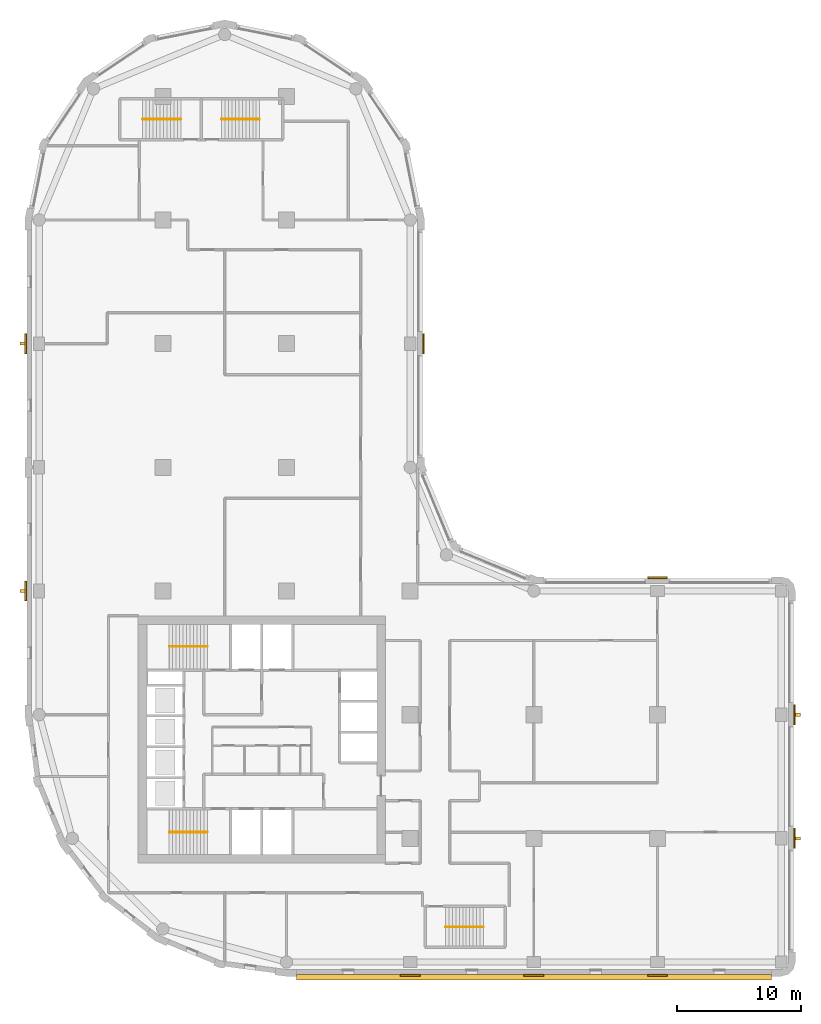
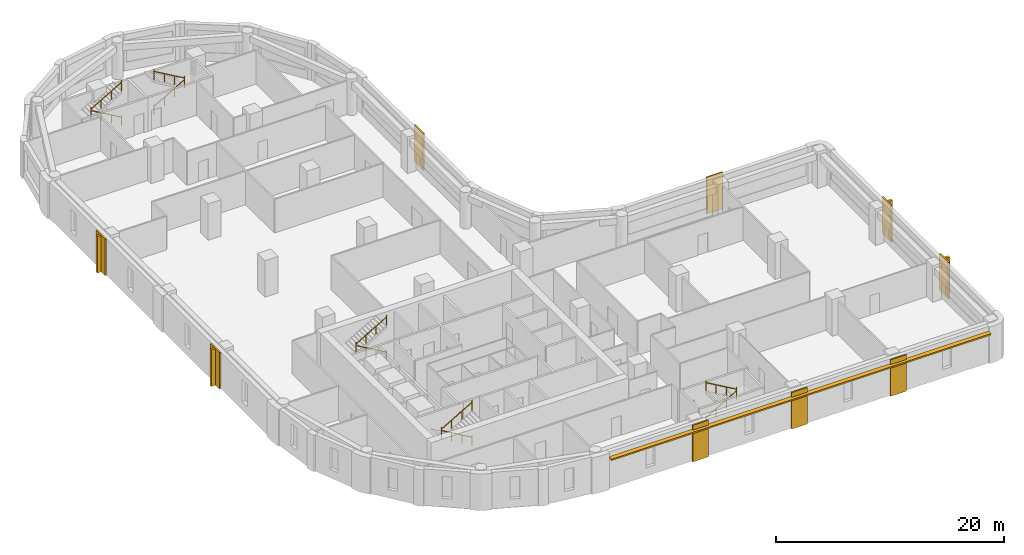
# One storey, part 8 of 9: 10 railings, 9 coverings, 5 shading devices.
"""IFC4 building model written with IfcOpenShell, lengths in metres."""

from ifc_helpers import new_model, si_unit, direction, frame, origin, origin_2d, place, context, subcontext, project, spatial, polyline, rectangle, circle, outline, extrude, material, layer, layer_set, type_object, element, save


model = new_model("IFC4")

# Units and contexts
model_context = context("Model", 3, precision=1e-05, world=origin(), true_north=direction((0.0, 1.0)))
body_context = subcontext(model_context, "Body", "Model", "MODEL_VIEW")
ifc_project = project(units=[si_unit("LENGTHUNIT", "METRE"), si_unit("AREAUNIT", "SQUARE_METRE"), si_unit("VOLUMEUNIT", "CUBIC_METRE"), si_unit("PLANEANGLEUNIT", "RADIAN"), si_unit("MASSUNIT", "GRAM", prefix="KILO")], contexts=[model_context])

# Site, building, storey
site_placement = place(None, origin())
site = spatial("IfcSite", under=ifc_project, at=site_placement, CompositionType="ELEMENT")
building_placement = place(site_placement, origin())
building = spatial("IfcBuilding", under=site, at=building_placement, Name="Qaws Garden Tower", CompositionType="ELEMENT")
storey_placement = place(building_placement, frame((0.0, 0.0, 194.10009765625)))
storey = spatial("IfcBuildingStorey", under=building, at=storey_placement, Name="L47", CompositionType="ELEMENT", Elevation=194.10009765625)

# Coverings
ifc_material_1 = material(Name="Clay facing brick masonry", Category="masonry")
ifc_layer_1 = layer(ifc_material_1, 0.14990234375)
ifc_layer_set_1 = layer_set([ifc_layer_1], Name="Clay facing brick masonry")
covering_type = type_object("IfcCoveringType", Name="Brick pilaster facing 150 x 1600", PredefinedType="CLADDING", material=ifc_layer_set_1)
placement = place(storey_placement, origin())
element("IfcCovering", 1, at=placement, inside=storey, type_object=covering_type, Name="E-L47-pier-01", PredefinedType="CLADDING", context=body_context, shape_type="SweptSolid", body=[
    extrude(outline(polyline([(29.199951171875, -1.0), (30.800048828125, -1.0), (30.800048828125, -1.14990234375), (29.199951171875, -1.14990234375), (29.199951171875, -1.0)])), origin(), (0.0, 0.0, 1.0), 3.89990234375),
])
element("IfcCovering", 2, at=placement, inside=storey, type_object=covering_type, Name="E-L47-pier-02", PredefinedType="CLADDING", context=body_context, shape_type="SweptSolid", body=[
    extrude(outline(polyline([(39.199951171875, -1.0), (40.800048828125, -1.0), (40.800048828125, -1.14990234375), (39.199951171875, -1.14990234375), (39.199951171875, -1.0)])), origin(), (0.0, 0.0, 1.0), 3.89990234375),
])
element("IfcCovering", 3, at=placement, inside=storey, type_object=covering_type, Name="E-L47-pier-03", PredefinedType="CLADDING", context=body_context, shape_type="SweptSolid", body=[
    extrude(outline(polyline([(49.199951171875, -1.0), (50.800048828125, -1.0), (50.800048828125, -1.14990234375), (49.199951171875, -1.14990234375), (49.199951171875, -1.0)])), origin(), (0.0, 0.0, 1.0), 3.89990234375),
])
element("IfcCovering", 4, at=placement, inside=storey, type_object=covering_type, Name="E-L47-pier-05", PredefinedType="CLADDING", context=body_context, shape_type="SweptSolid", body=[
    extrude(outline(polyline([(61.0, 9.199951171875), (61.0, 10.800048828125), (61.14990234375, 10.800048828125), (61.14990234375, 9.199951171875), (61.0, 9.199951171875)])), origin(), (0.0, 0.0, 1.0), 3.89990234375),
])
element("IfcCovering", 5, at=placement, inside=storey, type_object=covering_type, Name="E-L47-pier-06", PredefinedType="CLADDING", context=body_context, shape_type="SweptSolid", body=[
    extrude(outline(polyline([(61.0, 19.199951171875), (61.0, 20.800048828125), (61.14990234375, 20.800048828125), (61.14990234375, 19.199951171875), (61.0, 19.199951171875)])), origin(), (0.0, 0.0, 1.0), 3.89990234375),
])
element("IfcCovering", 6, at=placement, inside=storey, type_object=covering_type, Name="E-L47-pier-08", PredefinedType="CLADDING", context=body_context, shape_type="SweptSolid", body=[
    extrude(outline(polyline([(50.800048828125, 31.0), (49.199951171875, 31.0), (49.199951171875, 31.14990234375), (50.800048828125, 31.14990234375), (50.800048828125, 31.0)])), origin(), (0.0, 0.0, 1.0), 3.89990234375),
])
element("IfcCovering", 7, at=placement, inside=storey, type_object=covering_type, Name="E-L47-pier-12", PredefinedType="CLADDING", context=body_context, shape_type="SweptSolid", body=[
    extrude(outline(polyline([(31.0, 49.199951171875), (31.0, 50.800048828125), (31.14990234375, 50.800048828125), (31.14990234375, 49.199951171875), (31.0, 49.199951171875)])), origin(), (0.0, 0.0, 1.0), 3.89990234375),
])
element("IfcCovering", 8, at=placement, inside=storey, type_object=covering_type, Name="E-L47-pier-22", PredefinedType="CLADDING", context=body_context, shape_type="SweptSolid", body=[
    extrude(outline(polyline([(-1.0, 50.800048828125), (-1.0, 49.199951171875), (-1.14990234375, 49.199951171875), (-1.14990234375, 50.800048828125), (-1.0, 50.800048828125)])), origin(), (0.0, 0.0, 1.0), 3.89990234375),
])
element("IfcCovering", 9, at=placement, inside=storey, type_object=covering_type, Name="E-L47-pier-24", PredefinedType="CLADDING", context=body_context, shape_type="SweptSolid", body=[
    extrude(outline(polyline([(-1.0, 30.800048828125), (-1.0, 29.199951171875), (-1.14990234375, 29.199951171875), (-1.14990234375, 30.800048828125), (-1.0, 30.800048828125)])), origin(), (0.0, 0.0, 1.0), 3.89990234375),
])

# Shading devices
ifc_material_2 = material(Name="Clay facing brick masonry", Category="masonry")
ifc_layer_2 = layer(ifc_material_2, 0.14990234375)
ifc_layer_set_2 = layer_set([ifc_layer_2], Name="Clay facing brick masonry")
shading_device_type_1 = type_object("IfcShadingDeviceType", Name="Brick sunshade band 450 x 150", PredefinedType="JALOUSIE", material=ifc_layer_set_2)
shading_device_placement = place(storey_placement, frame((0.0, 0.0, 3.25)))
element("IfcShadingDevice", 10, at=shading_device_placement, inside=storey, type_object=shading_device_type_1, Name="SUNSHADE 00", PredefinedType="JALOUSIE", context=body_context, shape_type="SweptSolid", body=[
    extrude(outline(polyline([(20.800048828125, -1.0), (20.800048828125, -1.449951171875), (59.199951171875, -1.449951171875), (59.199951171875, -1.0), (50.800048828125, -1.0), (50.800048828125, -1.14990234375), (49.199951171875, -1.14990234375), (49.199951171875, -1.0), (40.800048828125, -1.0), (40.800048828125, -1.14990234375), (39.199951171875, -1.14990234375), (39.199951171875, -1.0), (30.800048828125, -1.0), (30.800048828125, -1.14990234375), (29.199951171875, -1.14990234375), (29.199951171875, -1.0), (20.800048828125, -1.0)])), origin(), (0.0, 0.0, 1.0), 0.14990234375),
])
ifc_material_3 = material(Name="Clay facing brick masonry", Category="masonry")
ifc_layer_3 = layer(ifc_material_3, 0.25)
ifc_layer_set_3 = layer_set([ifc_layer_3], Name="Clay facing brick masonry")
shading_device_type_2 = type_object("IfcShadingDeviceType", Name="Brick-faced fin 250 x 400", PredefinedType="USERDEFINED", material=ifc_layer_set_3)
for number, where, z_axis, x_axis, name in (
    (11, (61.35009765625, 10.0, 0.0), (0.0, 0.0, 1.0), (0.0, 1.0, 0.0), "FIN 05"),
    (12, (61.35009765625, 20.0, 0.0), (0.0, 0.0, 1.0), (0.0, 1.0, 0.0), "FIN 06"),
    (13, (-1.35009765625, 50.0, 0.0), (0.0, 0.0, 1.0), (0.0, -1.0, 0.0), "FIN 22"),
    (14, (-1.35009765625, 30.0, 0.0), (0.0, 0.0, 1.0), (0.0, -1.0, 0.0), "FIN 24"),
):
    element("IfcShadingDevice", number, at=place(storey_placement, frame(where, z_axis=z_axis, x_axis=x_axis)), inside=storey, type_object=shading_device_type_2, Name=name, ObjectType="FIN", PredefinedType="USERDEFINED", context=body_context, shape_type="SweptSolid", body=[
        extrude(rectangle(XDim=0.25, YDim=0.39990234375, at=origin_2d()), origin(), (0.0, 0.0, 1.0), 3.89990234375),
    ])

# Railings
ifc_material_4 = material(Name="Steel S355", Category="steel")
railing_type = type_object("IfcRailingType", Name="Stair handrail 900", PredefinedType="HANDRAIL", material=ifc_material_4)
railing_1_placement = place(storey_placement, frame((13.60009765625, 10.5, 0.162353515625)))
element("IfcRailing", 15, at=railing_1_placement, inside=storey, type_object=railing_type, Name="Stair 1 handrail", PredefinedType="HANDRAIL", context=body_context, shape_type="SweptSolid", body=[
    extrude(circle(Radius=0.02392578125, at=origin_2d()), frame((0.0, 0.0, 0.8759765625), z_axis=(-0.864890721111, 0.0, 0.501960198159), x_axis=(0.0, -1.0, 0.0)), (0.0, 0.0, 1.0), 3.561279296875),
    extrude(circle(Radius=0.02099609375, at=origin_2d()), origin(), (0.0, 0.0, 1.0), 1.06201171875),
    extrude(circle(Radius=0.02099609375, at=origin_2d()), frame((-1.026611328125, 0.0, 0.595947265625)), (0.0, 0.0, 1.0), 0.851806640625),
    extrude(circle(Radius=0.02099609375, at=origin_2d()), frame((-2.053466796875, 0.0, 1.191650390625)), (0.0, 0.0, 1.0), 0.851806640625),
    extrude(circle(Radius=0.02099609375, at=origin_2d()), frame((-3.080078125, 0.0, 1.78759765625)), (0.0, 0.0, 1.0), 1.06201171875),
])
railing_2_placement = place(storey_placement, frame((10.52001953125, 10.5, 2.1123046875)))
element("IfcRailing", 16, at=railing_2_placement, inside=storey, type_object=railing_type, Name="Stair 1 handrail", PredefinedType="HANDRAIL", context=body_context, shape_type="SweptSolid", body=[
    extrude(circle(Radius=0.02392578125, at=origin_2d()), frame((0.0, 0.0, 0.8759765625), z_axis=(0.864890721111, 0.0, 0.501960198159), x_axis=(0.0, 1.0, 0.0)), (0.0, 0.0, 1.0), 3.561279296875),
    extrude(circle(Radius=0.02099609375, at=origin_2d()), origin(), (0.0, 0.0, 1.0), 1.06201171875),
    extrude(circle(Radius=0.02099609375, at=origin_2d()), frame((1.026611328125, 0.0, 0.595947265625)), (0.0, 0.0, 1.0), 0.851806640625),
    extrude(circle(Radius=0.02099609375, at=origin_2d()), frame((2.053466796875, 0.0, 1.191650390625)), (0.0, 0.0, 1.0), 0.851806640625),
    extrude(circle(Radius=0.02099609375, at=origin_2d()), frame((3.080078125, 0.0, 1.78759765625)), (0.0, 0.0, 1.0), 1.06201171875),
])
railing_3_placement = place(storey_placement, frame((13.60009765625, 25.5, 0.162353515625)))
element("IfcRailing", 17, at=railing_3_placement, inside=storey, type_object=railing_type, Name="Stair 4 handrail", PredefinedType="HANDRAIL", context=body_context, shape_type="SweptSolid", body=[
    extrude(circle(Radius=0.02392578125, at=origin_2d()), frame((0.0, 0.0, 0.8759765625), z_axis=(-0.864890721111, 0.0, 0.501960198159), x_axis=(0.0, -1.0, 0.0)), (0.0, 0.0, 1.0), 3.561279296875),
    extrude(circle(Radius=0.02099609375, at=origin_2d()), origin(), (0.0, 0.0, 1.0), 1.06201171875),
    extrude(circle(Radius=0.02099609375, at=origin_2d()), frame((-1.026611328125, 0.0, 0.595947265625)), (0.0, 0.0, 1.0), 0.851806640625),
    extrude(circle(Radius=0.02099609375, at=origin_2d()), frame((-2.053466796875, 0.0, 1.191650390625)), (0.0, 0.0, 1.0), 0.851806640625),
    extrude(circle(Radius=0.02099609375, at=origin_2d()), frame((-3.080078125, 0.0, 1.78759765625)), (0.0, 0.0, 1.0), 1.06201171875),
])
railing_4_placement = place(storey_placement, frame((10.52001953125, 25.5, 2.1123046875)))
element("IfcRailing", 18, at=railing_4_placement, inside=storey, type_object=railing_type, Name="Stair 4 handrail", PredefinedType="HANDRAIL", context=body_context, shape_type="SweptSolid", body=[
    extrude(circle(Radius=0.02392578125, at=origin_2d()), frame((0.0, 0.0, 0.8759765625), z_axis=(0.864890721111, 0.0, 0.501960198159), x_axis=(0.0, 1.0, 0.0)), (0.0, 0.0, 1.0), 3.561279296875),
    extrude(circle(Radius=0.02099609375, at=origin_2d()), origin(), (0.0, 0.0, 1.0), 1.06201171875),
    extrude(circle(Radius=0.02099609375, at=origin_2d()), frame((1.026611328125, 0.0, 0.595947265625)), (0.0, 0.0, 1.0), 0.851806640625),
    extrude(circle(Radius=0.02099609375, at=origin_2d()), frame((2.053466796875, 0.0, 1.191650390625)), (0.0, 0.0, 1.0), 0.851806640625),
    extrude(circle(Radius=0.02099609375, at=origin_2d()), frame((3.080078125, 0.0, 1.78759765625)), (0.0, 0.0, 1.0), 1.06201171875),
])
railing_5_placement = place(storey_placement, frame((32.85009765625, 2.85009765625, 0.162353515625)))
element("IfcRailing", 19, at=railing_5_placement, inside=storey, type_object=railing_type, Name="Stair 5 handrail", PredefinedType="HANDRAIL", context=body_context, shape_type="SweptSolid", body=[
    extrude(circle(Radius=0.02392578125, at=origin_2d()), frame((0.0, 0.0, 0.8759765625), z_axis=(0.864873446163, 0.0, 0.501989962173), x_axis=(0.0, 1.0, 0.0)), (0.0, 0.0, 1.0), 3.56103515625),
    extrude(circle(Radius=0.02099609375, at=origin_2d()), origin(), (0.0, 0.0, 1.0), 1.06201171875),
    extrude(circle(Radius=0.02099609375, at=origin_2d()), frame((1.026611328125, 0.0, 0.595947265625)), (0.0, 0.0, 1.0), 0.851806640625),
    extrude(circle(Radius=0.02099609375, at=origin_2d()), frame((2.05322265625, 0.0, 1.191650390625)), (0.0, 0.0, 1.0), 0.851806640625),
    extrude(circle(Radius=0.02099609375, at=origin_2d()), frame((3.079833984375, 0.0, 1.78759765625)), (0.0, 0.0, 1.0), 1.06201171875),
])
for number, where, name in (
    (20, (35.929931640625, 2.85009765625, 2.1123046875), "Stair 5 handrail"),
    (21, (11.449951171875, 68.14990234375, 0.162353515625), "Stair 6 handrail"),
):
    element("IfcRailing", number, at=place(storey_placement, frame(where)), inside=storey, type_object=railing_type, Name=name, PredefinedType="HANDRAIL", context=body_context, shape_type="SweptSolid", body=[
        extrude(circle(Radius=0.02392578125, at=origin_2d()), frame((0.0, 0.0, 0.8759765625), z_axis=(-0.864873446163, 0.0, 0.501989962173), x_axis=(0.0, -1.0, 0.0)), (0.0, 0.0, 1.0), 3.56103515625),
        extrude(circle(Radius=0.02099609375, at=origin_2d()), origin(), (0.0, 0.0, 1.0), 1.06201171875),
        extrude(circle(Radius=0.02099609375, at=origin_2d()), frame((-1.026611328125, 0.0, 0.595947265625)), (0.0, 0.0, 1.0), 0.851806640625),
        extrude(circle(Radius=0.02099609375, at=origin_2d()), frame((-2.05322265625, 0.0, 1.191650390625)), (0.0, 0.0, 1.0), 0.851806640625),
        extrude(circle(Radius=0.02099609375, at=origin_2d()), frame((-3.079833984375, 0.0, 1.78759765625)), (0.0, 0.0, 1.0), 1.06201171875),
    ])
railing_6_placement = place(storey_placement, frame((8.3701171875, 68.14990234375, 2.1123046875)))
element("IfcRailing", 22, at=railing_6_placement, inside=storey, type_object=railing_type, Name="Stair 6 handrail", PredefinedType="HANDRAIL", context=body_context, shape_type="SweptSolid", body=[
    extrude(circle(Radius=0.02392578125, at=origin_2d()), frame((0.0, 0.0, 0.8759765625), z_axis=(0.864873446163, 0.0, 0.501989962173), x_axis=(0.0, 1.0, 0.0)), (0.0, 0.0, 1.0), 3.56103515625),
    extrude(circle(Radius=0.02099609375, at=origin_2d()), origin(), (0.0, 0.0, 1.0), 1.06201171875),
    extrude(circle(Radius=0.02099609375, at=origin_2d()), frame((1.026611328125, 0.0, 0.595947265625)), (0.0, 0.0, 1.0), 0.851806640625),
    extrude(circle(Radius=0.02099609375, at=origin_2d()), frame((2.05322265625, 0.0, 1.191650390625)), (0.0, 0.0, 1.0), 0.851806640625),
    extrude(circle(Radius=0.02099609375, at=origin_2d()), frame((3.079833984375, 0.0, 1.78759765625)), (0.0, 0.0, 1.0), 1.06201171875),
])
railing_7_placement = place(storey_placement, frame((14.75, 68.14990234375, 0.162353515625)))
element("IfcRailing", 23, at=railing_7_placement, inside=storey, type_object=railing_type, Name="Stair 7 handrail", PredefinedType="HANDRAIL", context=body_context, shape_type="SweptSolid", body=[
    extrude(circle(Radius=0.02392578125, at=origin_2d()), frame((0.0, 0.0, 0.8759765625), z_axis=(0.864890721111, 0.0, 0.501960198159), x_axis=(0.0, 1.0, 0.0)), (0.0, 0.0, 1.0), 3.561279296875),
    extrude(circle(Radius=0.02099609375, at=origin_2d()), origin(), (0.0, 0.0, 1.0), 1.06201171875),
    extrude(circle(Radius=0.02099609375, at=origin_2d()), frame((1.026611328125, 0.0, 0.595947265625)), (0.0, 0.0, 1.0), 0.851806640625),
    extrude(circle(Radius=0.02099609375, at=origin_2d()), frame((2.053466796875, 0.0, 1.191650390625)), (0.0, 0.0, 1.0), 0.851806640625),
    extrude(circle(Radius=0.02099609375, at=origin_2d()), frame((3.080078125, 0.0, 1.78759765625)), (0.0, 0.0, 1.0), 1.06201171875),
])
railing_8_placement = place(storey_placement, frame((17.830078125, 68.14990234375, 2.1123046875)))
element("IfcRailing", 24, at=railing_8_placement, inside=storey, type_object=railing_type, Name="Stair 7 handrail", PredefinedType="HANDRAIL", context=body_context, shape_type="SweptSolid", body=[
    extrude(circle(Radius=0.02392578125, at=origin_2d()), frame((0.0, 0.0, 0.8759765625), z_axis=(-0.864890721111, 0.0, 0.501960198159), x_axis=(0.0, -1.0, 0.0)), (0.0, 0.0, 1.0), 3.561279296875),
    extrude(circle(Radius=0.02099609375, at=origin_2d()), origin(), (0.0, 0.0, 1.0), 1.06201171875),
    extrude(circle(Radius=0.02099609375, at=origin_2d()), frame((-1.026611328125, 0.0, 0.595947265625)), (0.0, 0.0, 1.0), 0.851806640625),
    extrude(circle(Radius=0.02099609375, at=origin_2d()), frame((-2.053466796875, 0.0, 1.191650390625)), (0.0, 0.0, 1.0), 0.851806640625),
    extrude(circle(Radius=0.02099609375, at=origin_2d()), frame((-3.080078125, 0.0, 1.78759765625)), (0.0, 0.0, 1.0), 1.06201171875),
])

save(model, "model.ifc")
